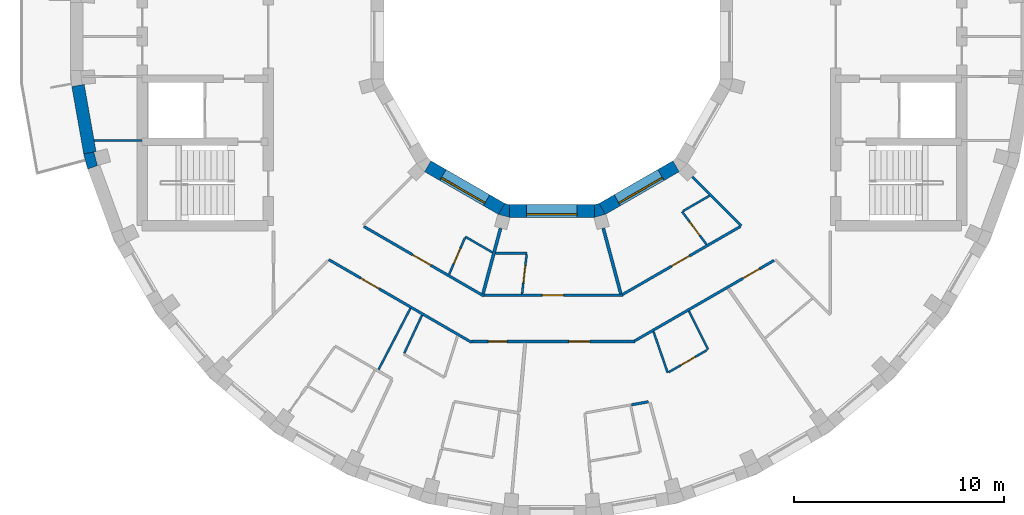
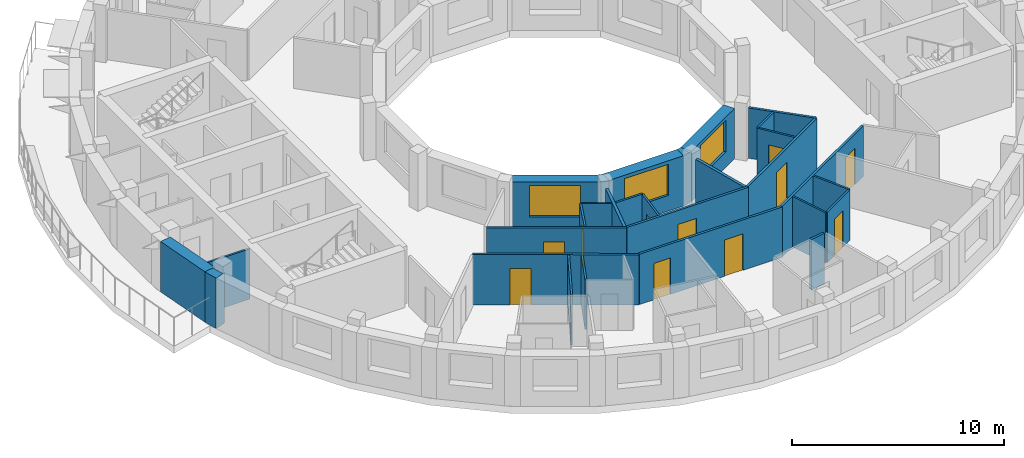
# One storey, part 3 of 10: 29 walls, 11 doors, 3 windows, 14 openings.
"""IFC4 building model written with IfcOpenShell, lengths in metres."""

from ifc_helpers import new_model, si_unit, direction, frame, frame_2d, origin, place, context, subcontext, project, spatial, polyline, rectangle, outline, extrude, material, layer, layer_set, type_object, element, fill, save


model = new_model("IFC4")

# Units and contexts
model_context = context("Model", 3, precision=1e-05, world=origin(), true_north=direction((0.0, 1.0)))
body_context = subcontext(model_context, "Body", "Model", "MODEL_VIEW")
ifc_project = project(units=[si_unit("LENGTHUNIT", "METRE"), si_unit("AREAUNIT", "SQUARE_METRE"), si_unit("VOLUMEUNIT", "CUBIC_METRE"), si_unit("PLANEANGLEUNIT", "RADIAN"), si_unit("MASSUNIT", "GRAM", prefix="KILO")], contexts=[model_context])

# Site, building, storey
site_placement = place(None, origin())
site = spatial("IfcSite", under=ifc_project, at=site_placement, CompositionType="ELEMENT")
building_placement = place(site_placement, origin())
building = spatial("IfcBuilding", under=site, at=building_placement, Name="Saqina Gate Tower", CompositionType="ELEMENT")
storey_placement = place(building_placement, frame((0.0, 0.0, 239.60009765625)))
storey = spatial("IfcBuildingStorey", under=building, at=storey_placement, Name="L68", CompositionType="ELEMENT", Elevation=239.60009765625)

# Walls
ifc_material_1 = material(Name="Brick masonry (buff)", Category="masonry")
wall_type_1 = type_object("IfcWallType", Name="BRICK PIER COPING BUFF", PredefinedType="SOLIDWALL", material=ifc_material_1)
wall_1_placement = place(storey_placement, origin())
element("IfcWall", 1, at=wall_1_placement, inside=storey, type_object=wall_type_1, Name="Pier cap L68 column 20", PredefinedType="SOLIDWALL", context=body_context, shape_type="SweptSolid", body=[
    extrude(outline(polyline([(-22.0869140625, -6.30859375), (-21.52294921875, -6.103515625), (-21.625, -6.130859375), (-21.793212890625, -5.5029296875), (-21.691162109375, -5.4755859375), (-22.281982421875, -5.579833984375), (-22.0869140625, -6.30859375)])), origin(), (0.0, 0.0, 1.0), 2.89990234375),
])
ifc_material_2 = material(Name="Gypsum board on steel studs", Category="steel")
ifc_layer_1 = layer(ifc_material_2, 0.10009765625)
ifc_layer_set_1 = layer_set([ifc_layer_1], Name="CORE PARTITION")
wall_type_2 = type_object("IfcWallType", Name="CORE PARTITION", PredefinedType="PARTITIONING", material=ifc_layer_set_1)
wall_2_placement = place(storey_placement, frame((-19.5, -4.949951171875, 0.0), z_axis=(0.0, 0.0, 1.0), x_axis=(-1.0, 0.0, 0.0)))
element("IfcWall", 2, at=wall_2_placement, inside=storey, type_object=wall_type_2, Name="L68-CP-W04", PredefinedType="PARTITIONING", context=body_context, shape_type="SweptSolid", body=[
    extrude(rectangle(XDim=2.283935546875, YDim=0.10009765625, at=frame_2d((1.14208984375, 0.0))), origin(), (0.0, 0.0, 1.0), 2.89990234375),
])
ifc_material_3 = material(Name="Glazed ceramic tile", Category="ceramic")
ifc_layer_2 = layer(ifc_material_3, 0.60009765625)
ifc_layer_set_2 = layer_set([ifc_layer_2], Name="FW-TILE")
wall_type_3 = type_object("IfcWallType", Name="FW-TILE", PredefinedType="SOLIDWALL", material=ifc_layer_set_2)
wall_3_placement = place(storey_placement, frame((-22.55126953125, -2.325439453125, 0.0), z_axis=(0.0, 0.0, 1.0), x_axis=(0.173656842178, -0.984806225186, 0.0)))
element("IfcWall", 3, at=wall_3_placement, inside=storey, type_object=wall_type_3, Name="Facade wall L68 facet 19", PredefinedType="SOLIDWALL", context=body_context, shape_type="SweptSolid", body=[
    extrude(rectangle(XDim=3.251708984375, YDim=0.60009765625, at=frame_2d((1.6259765625, 0.0))), origin(), (0.0, 0.0, 1.0), 2.89990234375),
])

# Wall, opening, window
ifc_material_4 = material(Name="Glazed ceramic tile", Category="ceramic")
ifc_layer_3 = layer(ifc_material_4, 0.60009765625)
ifc_layer_set_3 = layer_set([ifc_layer_3], Name="IW-TILE")
wall_type_4 = type_object("IfcWallType", Name="IW-TILE", PredefinedType="SOLIDWALL", material=ifc_layer_set_3)
wall_4_placement = place(storey_placement, frame((-5.907470703125, -6.17333984375, 0.0), z_axis=(0.0, 0.0, 1.0), x_axis=(0.866028316509, -0.499994954979, 0.0)))
wall_4 = element("IfcWall", 4, at=wall_4_placement, inside=storey, type_object=wall_type_4, Name="Well wall L68 facet 8", PredefinedType="SOLIDWALL", context=body_context, shape_type="SweptSolid", body=[
    extrude(rectangle(XDim=4.05859375, YDim=0.60009765625, at=frame_2d((2.029296875, 0.0))), origin(), (0.0, 0.0, 1.0), 2.89990234375),
])
opening_1_placement = place(wall_4_placement, frame((0.829345703125, 0.0, 0.89990234375)))
opening_1 = element("IfcOpeningElement", 5, at=opening_1_placement, cuts=wall_4, Name="Opening G20-W32", PredefinedType="OPENING", context=body_context, shape_type="SweptSolid", body=[
    extrude(rectangle(XDim=2.39990234375, YDim=1.800048828125, at=frame_2d((1.199951171875, 0.89990234375))), frame((0.0, 0.31201171875, 0.0), z_axis=(0.0, -1.0, 0.0), x_axis=(1.0, 0.0, 0.0)), (0.0, 0.0, 1.0), 0.6240234375),
])
ifc_material_5 = material(Name="Aluminium glazing", Category="aluminium")
window_type = type_object("IfcWindowType", Name="WN-W", PartitioningType="SINGLE_PANEL", PredefinedType="WINDOW", material=ifc_material_5)
window_1_placement = place(opening_1_placement, origin())
window_1 = element("IfcWindow", 6, at=window_1_placement, inside=storey, type_object=window_type, Name="Well window L68 facet 8", OverallHeight=1.800048828125, OverallWidth=2.39990234375, PartitioningType="SINGLE_PANEL", PredefinedType="WINDOW", context=body_context, shape_type="SweptSolid", body=[
    extrude(rectangle(XDim=2.39990234375, YDim=1.800048828125, at=frame_2d((1.199951171875, 0.89990234375))), frame((0.0, -0.119873046875, 0.0), z_axis=(0.0, -1.0, 0.0), x_axis=(1.0, 0.0, 0.0)), (0.0, 0.0, 1.0), 0.06005859375),
])
fill(opening_1, window_1)

wall_5_placement = place(storey_placement, frame((-2.029296875, -8.300048828125, 0.0), z_axis=(0.0, 0.0, 1.0), x_axis=(1.0, 0.0, 0.0)))
wall_5 = element("IfcWall", 7, at=wall_5_placement, inside=storey, type_object=wall_type_4, Name="Well wall L68 facet 9", PredefinedType="SOLIDWALL", context=body_context, shape_type="SweptSolid", body=[
    extrude(rectangle(XDim=4.05859375, YDim=0.60009765625, at=frame_2d((2.029296875, 0.0))), origin(), (0.0, 0.0, 1.0), 2.89990234375),
])
opening_2_placement = place(wall_5_placement, frame((0.829345703125, 0.0, 0.89990234375)))
opening_2 = element("IfcOpeningElement", 8, at=opening_2_placement, cuts=wall_5, Name="Opening G20-W33", PredefinedType="OPENING", context=body_context, shape_type="SweptSolid", body=[
    extrude(rectangle(XDim=2.39990234375, YDim=1.800048828125, at=frame_2d((1.199951171875, 0.89990234375))), frame((0.0, 0.31201171875, 0.0), z_axis=(0.0, -1.0, 0.0), x_axis=(1.0, 0.0, 0.0)), (0.0, 0.0, 1.0), 0.6240234375),
])
window_2_placement = place(opening_2_placement, origin())
window_2 = element("IfcWindow", 9, at=window_2_placement, inside=storey, type_object=window_type, Name="Well window L68 facet 9", OverallHeight=1.800048828125, OverallWidth=2.39990234375, PartitioningType="SINGLE_PANEL", PredefinedType="WINDOW", context=body_context, shape_type="SweptSolid", body=[
    extrude(rectangle(XDim=2.39990234375, YDim=1.800048828125, at=frame_2d((1.199951171875, 0.89990234375))), frame((0.0, -0.119873046875, 0.0), z_axis=(0.0, -1.0, 0.0), x_axis=(1.0, 0.0, 0.0)), (0.0, 0.0, 1.0), 0.06005859375),
])
fill(opening_2, window_2)

wall_6_placement = place(storey_placement, frame((2.392578125, -8.20263671875, 0.0), z_axis=(0.0, 0.0, 1.0), x_axis=(0.866028316509, 0.499994954979, 0.0)))
wall_6 = element("IfcWall", 10, at=wall_6_placement, inside=storey, type_object=wall_type_4, Name="Well wall L68 facet 10", PredefinedType="SOLIDWALL", context=body_context, shape_type="SweptSolid", body=[
    extrude(rectangle(XDim=4.05859375, YDim=0.60009765625, at=frame_2d((2.029296875, 0.0))), origin(), (0.0, 0.0, 1.0), 2.89990234375),
])
opening_3_placement = place(wall_6_placement, frame((0.829345703125, 0.0, 0.89990234375)))
opening_3 = element("IfcOpeningElement", 11, at=opening_3_placement, cuts=wall_6, Name="Opening G20-W34", PredefinedType="OPENING", context=body_context, shape_type="SweptSolid", body=[
    extrude(rectangle(XDim=2.39990234375, YDim=1.800048828125, at=frame_2d((1.199951171875, 0.89990234375))), frame((0.0, 0.31201171875, 0.0), z_axis=(0.0, -1.0, 0.0), x_axis=(1.0, 0.0, 0.0)), (0.0, 0.0, 1.0), 0.6240234375),
])
window_3_placement = place(opening_3_placement, origin())
window_3 = element("IfcWindow", 12, at=window_3_placement, inside=storey, type_object=window_type, Name="Well window L68 facet 10", OverallHeight=1.800048828125, OverallWidth=2.39990234375, PartitioningType="SINGLE_PANEL", PredefinedType="WINDOW", context=body_context, shape_type="SweptSolid", body=[
    extrude(rectangle(XDim=2.39990234375, YDim=1.800048828125, at=frame_2d((1.199951171875, 0.89990234375))), frame((0.0, -0.119873046875, 0.0), z_axis=(0.0, -1.0, 0.0), x_axis=(1.0, 0.0, 0.0)), (0.0, 0.0, 1.0), 0.06005859375),
])
fill(opening_3, window_3)

# Walls
ifc_material_6 = material(Name="Gypsum board on steel studs, 100 mm", Category="steel")
ifc_layer_4 = layer(ifc_material_6, 0.10009765625)
ifc_layer_set_4 = layer_set([ifc_layer_4], Name="PARTITION 100")
wall_type_5 = type_object("IfcWallType", Name="PARTITION 100", PredefinedType="PARTITIONING", material=ifc_layer_set_4)
wall_7_placement = place(storey_placement, frame((4.83251953125, -14.035400390625, 0.0), z_axis=(0.0, 0.0, 1.0), x_axis=(0.325747589184, -0.945456772222, 0.0)))
element("IfcWall", 13, at=wall_7_placement, inside=storey, type_object=wall_type_5, Name="PARTITION PW3-08", PredefinedType="PARTITIONING", context=body_context, shape_type="SweptSolid", body=[
    extrude(rectangle(XDim=2.07373046875, YDim=0.10009765625, at=frame_2d((1.036865234375, 0.0))), origin(), (0.0, 0.0, 1.0), 2.89990234375),
])
wall_8_placement = place(storey_placement, frame((6.51904296875, -13.06298828125, 0.0), z_axis=(0.0, 0.0, 1.0), x_axis=(0.446207639569, -0.894929462243, 0.0)))
element("IfcWall", 14, at=wall_8_placement, inside=storey, type_object=wall_type_5, Name="PARTITION PW3-11", PredefinedType="PARTITIONING", context=body_context, shape_type="SweptSolid", body=[
    extrude(rectangle(XDim=2.039306640625, YDim=0.10009765625, at=frame_2d((1.01953125, 0.0))), origin(), (0.0, 0.0, 1.0), 2.89990234375),
])

# Wall, opening, door
wall_9_placement = place(storey_placement, frame((6.19189453125, -8.330078125, 0.0), z_axis=(0.0, 0.0, 1.0), x_axis=(0.596570512615, -0.802560666541, 0.0)))
wall_9 = element("IfcWall", 15, at=wall_9_placement, inside=storey, type_object=wall_type_5, Name="PARTITION PW3-13", PredefinedType="PARTITIONING", context=body_context, shape_type="SweptSolid", body=[
    extrude(rectangle(XDim=1.950927734375, YDim=0.10009765625, at=frame_2d((0.9755859375, 0.0))), origin(), (0.0, 0.0, 1.0), 2.89990234375),
])
opening_4_placement = place(wall_9_placement, frame((0.606689453125, 0.0, 0.0)))
opening_4 = element("IfcOpeningElement", 16, at=opening_4_placement, cuts=wall_9, Name="Opening G20-D38", PredefinedType="OPENING", context=body_context, shape_type="SweptSolid", body=[
    extrude(rectangle(XDim=0.800048828125, YDim=2.10009765625, at=frame_2d((0.39990234375, 1.050048828125))), frame((0.0, 0.06201171875, 0.0), z_axis=(0.0, -1.0, 0.0), x_axis=(1.0, 0.0, 0.0)), (0.0, 0.0, 1.0), 0.1240234375),
])
ifc_material_7 = material(Name="Timber door leaf, 800 mm", Category="wood")
door_type_1 = type_object("IfcDoorType", Name="DOOR 800 TIMBER", OperationType="SINGLE_SWING_LEFT", PredefinedType="DOOR", material=ifc_material_7)
door_1_placement = place(opening_4_placement, frame((0.800048828125, 0.0, 0.0), z_axis=(0.0, 0.0, 1.0), x_axis=(-1.0, 0.0, 0.0)))
door_1 = element("IfcDoor", 17, at=door_1_placement, inside=storey, type_object=door_type_1, Name="DOOR G20-D38", OperationType="SINGLE_SWING_LEFT", OverallHeight=2.10009765625, OverallWidth=0.800048828125, PredefinedType="DOOR", context=body_context, shape_type="SweptSolid", body=[
    extrude(rectangle(XDim=0.800048828125, YDim=2.10009765625, at=frame_2d((0.39990234375, 1.050048828125))), frame((0.0, 0.02490234375, 0.0), z_axis=(0.0, -1.0, 0.0), x_axis=(1.0, 0.0, 0.0)), (0.0, 0.0, 1.0), 0.050048828125),
])
fill(opening_4, door_1)

# Walls
wall_10_placement = place(storey_placement, frame((-4.117919921875, -9.527099609375, 0.0), z_axis=(0.0, 0.0, 1.0), x_axis=(0.865863495864, -0.500280327947, 0.0)))
element("IfcWall", 18, at=wall_10_placement, inside=storey, type_object=wall_type_5, Name="PARTITION PW3-19", PredefinedType="PARTITIONING", context=body_context, shape_type="SweptSolid", body=[
    extrude(rectangle(XDim=1.489990234375, YDim=0.10009765625, at=frame_2d((0.7451171875, 0.0))), origin(), (0.0, 0.0, 1.0), 2.89990234375),
])
wall_11_placement = place(storey_placement, frame((-2.68798828125, -10.31005859375, 0.0), z_axis=(0.0, 0.0, 1.0), x_axis=(1.0, 0.0, 0.0)))
element("IfcWall", 19, at=wall_11_placement, inside=storey, type_object=wall_type_5, Name="PARTITION PW3-25", PredefinedType="PARTITIONING", context=body_context, shape_type="SweptSolid", body=[
    extrude(rectangle(XDim=1.490966796875, YDim=0.10009765625, at=frame_2d((0.74560546875, 0.0))), origin(), (0.0, 0.0, 1.0), 2.89990234375),
])

# Wall, opening, door
wall_12_placement = place(storey_placement, frame((5.553955078125, -15.972900390625, 0.0), z_axis=(0.0, 0.0, 1.0), x_axis=(0.866072001774, 0.499919281227, 0.0)))
wall_12 = element("IfcWall", 20, at=wall_12_placement, inside=storey, type_object=wall_type_5, Name="PARTITION PW3-33", PredefinedType="PARTITIONING", context=body_context, shape_type="SweptSolid", body=[
    extrude(rectangle(XDim=2.111572265625, YDim=0.10009765625, at=frame_2d((1.0556640625, 0.0))), origin(), (0.0, 0.0, 1.0), 2.89990234375),
])
opening_5_placement = place(wall_12_placement, frame((0.65576171875, 0.0, 0.0)))
opening_5 = element("IfcOpeningElement", 21, at=opening_5_placement, cuts=wall_12, Name="Opening G20-D36", PredefinedType="OPENING", context=body_context, shape_type="SweptSolid", body=[
    extrude(rectangle(XDim=0.800048828125, YDim=2.10009765625, at=frame_2d((0.39990234375, 1.050048828125))), frame((0.0, 0.06201171875, 0.0), z_axis=(0.0, -1.0, 0.0), x_axis=(1.0, 0.0, 0.0)), (0.0, 0.0, 1.0), 0.1240234375),
])
door_2_placement = place(opening_5_placement, frame((0.800048828125, 0.0, 0.0), z_axis=(0.0, 0.0, 1.0), x_axis=(-1.0, 0.0, 0.0)))
door_2 = element("IfcDoor", 22, at=door_2_placement, inside=storey, type_object=door_type_1, Name="DOOR G20-D36", OperationType="SINGLE_SWING_RIGHT", OverallHeight=2.10009765625, OverallWidth=0.800048828125, PredefinedType="DOOR", context=body_context, shape_type="SweptSolid", body=[
    extrude(rectangle(XDim=0.800048828125, YDim=2.10009765625, at=frame_2d((0.39990234375, 1.050048828125))), frame((0.0, 0.02490234375, 0.0), z_axis=(0.0, -1.0, 0.0), x_axis=(1.0, 0.0, 0.0)), (0.0, 0.0, 1.0), 0.050048828125),
])
fill(opening_5, door_2)

# Walls
wall_13_placement = place(storey_placement, frame((6.2353515625, -8.304931640625, 0.0), z_axis=(0.0, 0.0, 1.0), x_axis=(0.865874781837, 0.500260794165, 0.0)))
element("IfcWall", 23, at=wall_13_placement, inside=storey, type_object=wall_type_5, Name="PARTITION PW3-34", PredefinedType="PARTITIONING", context=body_context, shape_type="SweptSolid", body=[
    extrude(rectangle(XDim=1.452392578125, YDim=0.10009765625, at=frame_2d((0.72607421875, 0.0))), origin(), (0.0, 0.0, 1.0), 2.89990234375),
])
wall_14_placement = place(storey_placement, frame((-8.250244140625, -15.8466796875, 0.0), z_axis=(0.0, 0.0, 1.0), x_axis=(0.461751333764, 0.887009416955, 0.0)))
element("IfcWall", 24, at=wall_14_placement, inside=storey, type_object=wall_type_5, Name="PARTITION PW3-44", PredefinedType="PARTITIONING", context=body_context, shape_type="SweptSolid", body=[
    extrude(rectangle(XDim=3.278076171875, YDim=0.10009765625, at=frame_2d((1.63916015625, 0.0))), origin(), (0.0, 0.0, 1.0), 2.89990234375),
])
wall_15_placement = place(storey_placement, frame((-7.02587890625, -15.065673828125, 0.0), z_axis=(0.0, 0.0, 1.0), x_axis=(0.422771582019, 0.906236276827, 0.0)))
element("IfcWall", 25, at=wall_15_placement, inside=storey, type_object=wall_type_5, Name="PARTITION PW3-45", PredefinedType="PARTITIONING", context=body_context, shape_type="SweptSolid", body=[
    extrude(rectangle(XDim=1.9951171875, YDim=0.10009765625, at=frame_2d((0.99755859375, 0.0))), origin(), (0.0, 0.0, 1.0), 2.89990234375),
])

# Wall, opening, door
wall_16_placement = place(storey_placement, frame((-4.89208984375, -11.317626953125, 0.0), z_axis=(0.0, 0.0, 1.0), x_axis=(0.396785383472, 0.917911411555, 0.0)))
wall_16 = element("IfcWall", 26, at=wall_16_placement, inside=storey, type_object=wall_type_5, Name="PARTITION PW3-46", PredefinedType="PARTITIONING", context=body_context, shape_type="SweptSolid", body=[
    extrude(rectangle(XDim=1.900634765625, YDim=0.10009765625, at=frame_2d((0.9501953125, 0.0))), origin(), (0.0, 0.0, 1.0), 2.89990234375),
])
opening_6_placement = place(wall_16_placement, frame((0.544189453125, 0.0, 0.0)))
opening_6 = element("IfcOpeningElement", 27, at=opening_6_placement, cuts=wall_16, Name="Opening G20-D26", PredefinedType="OPENING", context=body_context, shape_type="SweptSolid", body=[
    extrude(rectangle(XDim=0.800048828125, YDim=2.10009765625, at=frame_2d((0.39990234375, 1.050048828125))), frame((0.0, 0.06201171875, 0.0), z_axis=(0.0, -1.0, 0.0), x_axis=(1.0, 0.0, 0.0)), (0.0, 0.0, 1.0), 0.1240234375),
])
door_3_placement = place(opening_6_placement, origin())
door_3 = element("IfcDoor", 28, at=door_3_placement, inside=storey, type_object=door_type_1, Name="DOOR G20-D26", OperationType="SINGLE_SWING_LEFT", OverallHeight=2.10009765625, OverallWidth=0.800048828125, PredefinedType="DOOR", context=body_context, shape_type="SweptSolid", body=[
    extrude(rectangle(XDim=0.800048828125, YDim=2.10009765625, at=frame_2d((0.39990234375, 1.050048828125))), frame((0.0, 0.02490234375, 0.0), z_axis=(0.0, -1.0, 0.0), x_axis=(1.0, 0.0, 0.0)), (0.0, 0.0, 1.0), 0.050048828125),
])
fill(opening_6, door_3)

wall_17_placement = place(storey_placement, frame((-1.421875, -12.247802734375, 0.0), z_axis=(0.0, 0.0, 1.0), x_axis=(0.115209091431, 0.993341263238, 0.0)))
wall_17 = element("IfcWall", 29, at=wall_17_placement, inside=storey, type_object=wall_type_5, Name="PARTITION PW3-51", PredefinedType="PARTITIONING", context=body_context, shape_type="SweptSolid", body=[
    extrude(rectangle(XDim=1.90087890625, YDim=0.10009765625, at=frame_2d((0.950439453125, 0.0))), origin(), (0.0, 0.0, 1.0), 2.89990234375),
])
opening_7_placement = place(wall_17_placement, frame((0.544189453125, 0.0, 0.0)))
opening_7 = element("IfcOpeningElement", 30, at=opening_7_placement, cuts=wall_17, Name="Opening G20-D31", PredefinedType="OPENING", context=body_context, shape_type="SweptSolid", body=[
    extrude(rectangle(XDim=0.800048828125, YDim=2.10009765625, at=frame_2d((0.39990234375, 1.050048828125))), frame((0.0, 0.06201171875, 0.0), z_axis=(0.0, -1.0, 0.0), x_axis=(1.0, 0.0, 0.0)), (0.0, 0.0, 1.0), 0.1240234375),
])
door_4_placement = place(opening_7_placement, frame((0.800048828125, 0.0, 0.0), z_axis=(0.0, 0.0, 1.0), x_axis=(-1.0, 0.0, 0.0)))
door_4 = element("IfcDoor", 31, at=door_4_placement, inside=storey, type_object=door_type_1, Name="DOOR G20-D31", OperationType="SINGLE_SWING_RIGHT", OverallHeight=2.10009765625, OverallWidth=0.800048828125, PredefinedType="DOOR", context=body_context, shape_type="SweptSolid", body=[
    extrude(rectangle(XDim=0.800048828125, YDim=2.10009765625, at=frame_2d((0.39990234375, 1.050048828125))), frame((0.0, 0.02490234375, 0.0), z_axis=(0.0, -1.0, 0.0), x_axis=(1.0, 0.0, 0.0)), (0.0, 0.0, 1.0), 0.050048828125),
])
fill(opening_7, door_4)

# Wall
ifc_material_8 = material(Name="Gypsum board on steel studs, 125 mm, fire rated", Category="steel")
ifc_layer_5 = layer(ifc_material_8, 0.125)
ifc_layer_set_5 = layer_set([ifc_layer_5], Name="PARTITION EI 30 125")
wall_type_6 = type_object("IfcWallType", Name="PARTITION EI 30 125", PredefinedType="PARTITIONING", material=ifc_layer_set_5)
wall_18_placement = place(storey_placement, frame((6.6767578125, -6.6767578125, 0.0), z_axis=(0.0, 0.0, 1.0), x_axis=(0.707106781187, -0.707106781187, 0.0)))
element("IfcWall", 32, at=wall_18_placement, inside=storey, type_object=wall_type_6, Name="PARTITION PW1-08", PredefinedType="PARTITIONING", context=body_context, shape_type="SweptSolid", body=[
    extrude(rectangle(XDim=3.302490234375, YDim=0.125, at=frame_2d((1.6513671875, 0.0))), origin(), (0.0, 0.0, 1.0), 2.89990234375),
])

# Wall, opening, door
wall_19_placement = place(storey_placement, frame((-10.6181640625, -10.615234375, 0.0), z_axis=(0.0, 0.0, 1.0), x_axis=(0.865323364785, -0.501214000561, 0.0)))
wall_19 = element("IfcWall", 33, at=wall_19_placement, inside=storey, type_object=wall_type_6, Name="PARTITION PW1-10", PredefinedType="PARTITIONING", context=body_context, shape_type="SweptSolid", body=[
    extrude(rectangle(XDim=7.85107421875, YDim=0.125, at=frame_2d((3.925537109375, 0.0))), origin(), (0.0, 0.0, 1.0), 2.89990234375),
])
opening_8_placement = place(wall_19_placement, frame((1.759765625, 0.0, 0.0)))
opening_8 = element("IfcOpeningElement", 34, at=opening_8_placement, cuts=wall_19, Name="Opening G20-D22", PredefinedType="OPENING", context=body_context, shape_type="SweptSolid", body=[
    extrude(rectangle(XDim=1.0, YDim=2.10009765625, at=frame_2d((0.5, 1.050048828125))), frame((0.0, 0.074462890625, 0.0), z_axis=(0.0, -1.0, 0.0), x_axis=(1.0, 0.0, 0.0)), (0.0, 0.0, 1.0), 0.14892578125),
])
ifc_material_9 = material(Name="Fire door leaf EI 30, 1000 mm")
door_type_2 = type_object("IfcDoorType", Name="DOOR 1000 EI 30", OperationType="SINGLE_SWING_LEFT", PredefinedType="DOOR", material=ifc_material_9)
door_5_placement = place(opening_8_placement, frame((1.0, 0.0, 0.0), z_axis=(0.0, 0.0, 1.0), x_axis=(-1.0, 0.0, 0.0)))
door_5 = element("IfcDoor", 35, at=door_5_placement, inside=storey, type_object=door_type_2, Name="DOOR G20-D22", OperationType="SINGLE_SWING_RIGHT", OverallHeight=2.10009765625, OverallWidth=1.0, PredefinedType="DOOR", context=body_context, shape_type="SweptSolid", body=[
    extrude(rectangle(XDim=1.0, YDim=2.10009765625, at=frame_2d((0.5, 1.050048828125))), frame((0.0, 0.02490234375, 0.0), z_axis=(0.0, -1.0, 0.0), x_axis=(1.0, 0.0, 0.0)), (0.0, 0.0, 1.0), 0.050048828125),
])
fill(opening_8, door_5)

wall_20_placement = place(storey_placement, frame((-8.953369140625, -9.03564453125, 0.0), z_axis=(0.0, 0.0, 1.0), x_axis=(0.865185064951, -0.501452693068, 0.0)))
wall_20 = element("IfcWall", 36, at=wall_20_placement, inside=storey, type_object=wall_type_6, Name="PARTITION PW1-11", PredefinedType="PARTITIONING", context=body_context, shape_type="SweptSolid", body=[
    extrude(rectangle(XDim=6.608642578125, YDim=0.125, at=frame_2d((3.30419921875, 0.0))), origin(), (0.0, 0.0, 1.0), 2.89990234375),
])
opening_9_placement = place(wall_20_placement, frame((2.68505859375, 0.0, 0.0)))
opening_9 = element("IfcOpeningElement", 37, at=opening_9_placement, cuts=wall_20, Name="Opening G20-D25", PredefinedType="OPENING", context=body_context, shape_type="SweptSolid", body=[
    extrude(rectangle(XDim=1.0, YDim=2.10009765625, at=frame_2d((0.5, 1.050048828125))), frame((0.0, 0.074462890625, 0.0), z_axis=(0.0, -1.0, 0.0), x_axis=(1.0, 0.0, 0.0)), (0.0, 0.0, 1.0), 0.14892578125),
])
door_6_placement = place(opening_9_placement, origin())
door_6 = element("IfcDoor", 38, at=door_6_placement, inside=storey, type_object=door_type_2, Name="DOOR G20-D25", OperationType="SINGLE_SWING_LEFT", OverallHeight=2.10009765625, OverallWidth=1.0, PredefinedType="DOOR", context=body_context, shape_type="SweptSolid", body=[
    extrude(rectangle(XDim=1.0, YDim=2.10009765625, at=frame_2d((0.5, 1.050048828125))), frame((0.0, 0.02490234375, 0.0), z_axis=(0.0, -1.0, 0.0), x_axis=(1.0, 0.0, 0.0)), (0.0, 0.0, 1.0), 0.050048828125),
])
fill(opening_9, door_6)

# Wall, openings, doors
wall_21_placement = place(storey_placement, frame((-3.824462890625, -14.510009765625, 0.0), z_axis=(0.0, 0.0, 1.0), x_axis=(1.0, 0.0, 0.0)))
wall_21 = element("IfcWall", 39, at=wall_21_placement, inside=storey, type_object=wall_type_6, Name="PARTITION PW1-17", PredefinedType="PARTITIONING", context=body_context, shape_type="SweptSolid", body=[
    extrude(rectangle(XDim=7.78466796875, YDim=0.125, at=frame_2d((3.892333984375, 0.0))), origin(), (0.0, 0.0, 1.0), 2.89990234375),
])
opening_10_placement = place(wall_21_placement, frame((0.7958984375, 0.0, 0.0)))
opening_10 = element("IfcOpeningElement", 40, at=opening_10_placement, cuts=wall_21, Name="Opening G20-D30", PredefinedType="OPENING", context=body_context, shape_type="SweptSolid", body=[
    extrude(rectangle(XDim=0.89990234375, YDim=2.10009765625, at=frame_2d((0.449951171875, 1.050048828125))), frame((0.0, 0.074462890625, 0.0), z_axis=(0.0, -1.0, 0.0), x_axis=(1.0, 0.0, 0.0)), (0.0, 0.0, 1.0), 0.14892578125),
])
opening_11_placement = place(wall_21_placement, frame((4.634033203125, 0.0, 0.0)))
opening_11 = element("IfcOpeningElement", 41, at=opening_11_placement, cuts=wall_21, Name="Opening G20-D34", PredefinedType="OPENING", context=body_context, shape_type="SweptSolid", body=[
    extrude(rectangle(XDim=1.0, YDim=2.10009765625, at=frame_2d((0.5, 1.050048828125))), frame((0.0, 0.074462890625, 0.0), z_axis=(0.0, -1.0, 0.0), x_axis=(1.0, 0.0, 0.0)), (0.0, 0.0, 1.0), 0.14892578125),
])
door_7_placement = place(opening_11_placement, origin())
door_7 = element("IfcDoor", 42, at=door_7_placement, inside=storey, type_object=door_type_2, Name="DOOR G20-D34", OperationType="SINGLE_SWING_RIGHT", OverallHeight=2.10009765625, OverallWidth=1.0, PredefinedType="DOOR", context=body_context, shape_type="SweptSolid", body=[
    extrude(rectangle(XDim=1.0, YDim=2.10009765625, at=frame_2d((0.5, 1.050048828125))), frame((0.0, 0.02490234375, 0.0), z_axis=(0.0, -1.0, 0.0), x_axis=(1.0, 0.0, 0.0)), (0.0, 0.0, 1.0), 0.050048828125),
])
fill(opening_11, door_7)
ifc_material_10 = material(Name="Fire door leaf EI 30, 900 mm")
door_type_3 = type_object("IfcDoorType", Name="DOOR 900 EI 30", OperationType="SINGLE_SWING_LEFT", PredefinedType="DOOR", material=ifc_material_10)
door_8_placement = place(opening_10_placement, frame((0.89990234375, 0.0, 0.0), z_axis=(0.0, 0.0, 1.0), x_axis=(-1.0, 0.0, 0.0)))
door_8 = element("IfcDoor", 43, at=door_8_placement, inside=storey, type_object=door_type_3, Name="DOOR G20-D30", OperationType="SINGLE_SWING_RIGHT", OverallHeight=2.10009765625, OverallWidth=0.89990234375, PredefinedType="DOOR", context=body_context, shape_type="SweptSolid", body=[
    extrude(rectangle(XDim=0.89990234375, YDim=2.10009765625, at=frame_2d((0.449951171875, 1.050048828125))), frame((0.0, 0.02490234375, 0.0), z_axis=(0.0, -1.0, 0.0), x_axis=(1.0, 0.0, 0.0)), (0.0, 0.0, 1.0), 0.050048828125),
])
fill(opening_10, door_8)

# Wall, opening, door
wall_22_placement = place(storey_placement, frame((-3.235595703125, -12.31005859375, 0.0), z_axis=(0.0, 0.0, 1.0), x_axis=(1.0, 0.0, 0.0)))
wall_22 = element("IfcWall", 44, at=wall_22_placement, inside=storey, type_object=wall_type_6, Name="PARTITION PW1-18", PredefinedType="PARTITIONING", context=body_context, shape_type="SweptSolid", body=[
    extrude(rectangle(XDim=6.6201171875, YDim=0.125, at=frame_2d((3.31005859375, 0.0))), origin(), (0.0, 0.0, 1.0), 2.89990234375),
])
opening_12_placement = place(wall_22_placement, frame((2.78662109375, 0.0, 0.0)))
opening_12 = element("IfcOpeningElement", 45, at=opening_12_placement, cuts=wall_22, Name="Opening G20-D32", PredefinedType="OPENING", context=body_context, shape_type="SweptSolid", body=[
    extrude(rectangle(XDim=1.0, YDim=2.10009765625, at=frame_2d((0.5, 1.050048828125))), frame((0.0, 0.074462890625, 0.0), z_axis=(0.0, -1.0, 0.0), x_axis=(1.0, 0.0, 0.0)), (0.0, 0.0, 1.0), 0.14892578125),
])
door_9_placement = place(opening_12_placement, origin())
door_9 = element("IfcDoor", 46, at=door_9_placement, inside=storey, type_object=door_type_2, Name="DOOR G20-D32", OperationType="SINGLE_SWING_LEFT", OverallHeight=2.10009765625, OverallWidth=1.0, PredefinedType="DOOR", context=body_context, shape_type="SweptSolid", body=[
    extrude(rectangle(XDim=1.0, YDim=2.10009765625, at=frame_2d((0.5, 1.050048828125))), frame((0.0, 0.02490234375, 0.0), z_axis=(0.0, -1.0, 0.0), x_axis=(1.0, 0.0, 0.0)), (0.0, 0.0, 1.0), 0.050048828125),
])
fill(opening_12, door_9)

# Wall
wall_23_placement = place(storey_placement, frame((3.787353515625, -17.521240234375, 0.0), z_axis=(0.0, 0.0, 1.0), x_axis=(0.984747422564, 0.173989981764, 0.0)))
element("IfcWall", 47, at=wall_23_placement, inside=storey, type_object=wall_type_6, Name="PARTITION PW1-21", PredefinedType="PARTITIONING", context=body_context, shape_type="SweptSolid", body=[
    extrude(rectangle(XDim=0.816650390625, YDim=0.125, at=frame_2d((0.408203125, 0.0))), origin(), (0.0, 0.0, 1.0), 2.89990234375),
])

# Wall, opening, door
wall_24_placement = place(storey_placement, frame((3.942138671875, -14.478759765625, 0.0), z_axis=(0.0, 0.0, 1.0), x_axis=(0.866021382195, 0.500006965533, 0.0)))
wall_24 = element("IfcWall", 48, at=wall_24_placement, inside=storey, type_object=wall_type_6, Name="PARTITION PW1-24", PredefinedType="PARTITIONING", context=body_context, shape_type="SweptSolid", body=[
    extrude(rectangle(XDim=7.65087890625, YDim=0.125, at=frame_2d((3.825439453125, 0.0))), origin(), (0.0, 0.0, 1.0), 2.89990234375),
])
opening_13_placement = place(wall_24_placement, frame((5.9541015625, 0.0, 0.0)))
opening_13 = element("IfcOpeningElement", 49, at=opening_13_placement, cuts=wall_24, Name="Opening G20-D40", PredefinedType="OPENING", context=body_context, shape_type="SweptSolid", body=[
    extrude(rectangle(XDim=0.89990234375, YDim=2.10009765625, at=frame_2d((0.449951171875, 1.050048828125))), frame((0.0, 0.074462890625, 0.0), z_axis=(0.0, -1.0, 0.0), x_axis=(1.0, 0.0, 0.0)), (0.0, 0.0, 1.0), 0.14892578125),
])
door_10_placement = place(opening_13_placement, frame((0.89990234375, 0.0, 0.0), z_axis=(0.0, 0.0, 1.0), x_axis=(-1.0, 0.0, 0.0)))
door_10 = element("IfcDoor", 50, at=door_10_placement, inside=storey, type_object=door_type_3, Name="DOOR G20-D40", OperationType="SINGLE_SWING_LEFT", OverallHeight=2.10009765625, OverallWidth=0.89990234375, PredefinedType="DOOR", context=body_context, shape_type="SweptSolid", body=[
    extrude(rectangle(XDim=0.89990234375, YDim=2.10009765625, at=frame_2d((0.449951171875, 1.050048828125))), frame((0.0, 0.02490234375, 0.0), z_axis=(0.0, -1.0, 0.0), x_axis=(1.0, 0.0, 0.0)), (0.0, 0.0, 1.0), 0.050048828125),
])
fill(opening_13, door_10)

wall_25_placement = place(storey_placement, frame((3.363037109375, -12.2724609375, 0.0), z_axis=(0.0, 0.0, 1.0), x_axis=(0.866083637917, 0.499899121956, 0.0)))
wall_25 = element("IfcWall", 51, at=wall_25_placement, inside=storey, type_object=wall_type_6, Name="PARTITION PW1-25", PredefinedType="PARTITIONING", context=body_context, shape_type="SweptSolid", body=[
    extrude(rectangle(XDim=6.459716796875, YDim=0.125, at=frame_2d((3.22998046875, 0.0))), origin(), (0.0, 0.0, 1.0), 2.89990234375),
])
opening_14_placement = place(wall_25_placement, frame((2.673095703125, 0.0, 0.0)))
opening_14 = element("IfcOpeningElement", 52, at=opening_14_placement, cuts=wall_25, Name="Opening G20-D37", PredefinedType="OPENING", context=body_context, shape_type="SweptSolid", body=[
    extrude(rectangle(XDim=1.0, YDim=2.10009765625, at=frame_2d((0.5, 1.050048828125))), frame((0.0, 0.074462890625, 0.0), z_axis=(0.0, -1.0, 0.0), x_axis=(1.0, 0.0, 0.0)), (0.0, 0.0, 1.0), 0.14892578125),
])
door_11_placement = place(opening_14_placement, origin())
door_11 = element("IfcDoor", 53, at=door_11_placement, inside=storey, type_object=door_type_2, Name="DOOR G20-D37", OperationType="SINGLE_SWING_LEFT", OverallHeight=2.10009765625, OverallWidth=1.0, PredefinedType="DOOR", context=body_context, shape_type="SweptSolid", body=[
    extrude(rectangle(XDim=1.0, YDim=2.10009765625, at=frame_2d((0.5, 1.050048828125))), frame((0.0, 0.02490234375, 0.0), z_axis=(0.0, -1.0, 0.0), x_axis=(1.0, 0.0, 0.0)), (0.0, 0.0, 1.0), 0.050048828125),
])
fill(opening_14, door_11)

# Walls
ifc_material_11 = material(Name="Gypsum board on steel studs, 150 mm, fire rated", Category="steel")
ifc_layer_6 = layer(ifc_material_11, 0.14990234375)
ifc_layer_set_6 = layer_set([ifc_layer_6], Name="PARTITION EI 60 150")
wall_type_7 = type_object("IfcWallType", Name="PARTITION EI 60 150", PredefinedType="PARTITIONING", material=ifc_layer_set_6)
wall_26_placement = place(storey_placement, frame((2.44384765625, -9.12060546875, 0.0), z_axis=(0.0, 0.0, 1.0), x_axis=(0.258356832743, -0.966049557205, 0.0)))
element("IfcWall", 54, at=wall_26_placement, inside=storey, type_object=wall_type_7, Name="PARTITION PW2-02", PredefinedType="PARTITIONING", context=body_context, shape_type="SweptSolid", body=[
    extrude(rectangle(XDim=3.2392578125, YDim=0.14990234375, at=frame_2d((1.61962890625, 0.0))), origin(), (0.0, 0.0, 1.0), 2.89990234375),
])
wall_27_placement = place(storey_placement, frame((-3.282470703125, -12.24951171875, 0.0), z_axis=(0.0, 0.0, 1.0), x_axis=(0.258727295272, 0.965950405912, 0.0)))
element("IfcWall", 55, at=wall_27_placement, inside=storey, type_object=wall_type_7, Name="PARTITION PW2-06", PredefinedType="PARTITIONING", context=body_context, shape_type="SweptSolid", body=[
    extrude(rectangle(XDim=3.239501953125, YDim=0.14990234375, at=frame_2d((1.61962890625, 0.0))), origin(), (0.0, 0.0, 1.0), 2.89990234375),
])
ifc_material_12 = material(Name="Glazed ceramic tile", Category="ceramic")
wall_type_8 = type_object("IfcWallType", Name="TILE PIER COPING", PredefinedType="SOLIDWALL", material=ifc_material_12)
wall_28_placement = place(storey_placement, origin())
element("IfcWall", 56, at=wall_28_placement, inside=storey, type_object=wall_type_8, Name="Well pier cap L68 column 9", PredefinedType="SOLIDWALL", context=body_context, shape_type="SweptSolid", body=[
    extrude(outline(polyline([(-2.029296875, -8.60009765625), (-2.029296875, -8.0), (-2.242431640625, -7.94287109375), (-2.54248046875, -8.46240234375), (-2.029296875, -8.60009765625)])), origin(), (0.0, 0.0, 1.0), 2.89990234375),
])
wall_29_placement = place(storey_placement, origin())
element("IfcWall", 57, at=wall_29_placement, inside=storey, type_object=wall_type_8, Name="Well pier cap L68 column 10", PredefinedType="SOLIDWALL", context=body_context, shape_type="SweptSolid", body=[
    extrude(outline(polyline([(2.54248046875, -8.46240234375), (2.242431640625, -7.94287109375), (2.029296875, -8.0), (2.029296875, -8.60009765625), (2.54248046875, -8.46240234375)])), origin(), (0.0, 0.0, 1.0), 2.89990234375),
])

save(model, "model.ifc")
